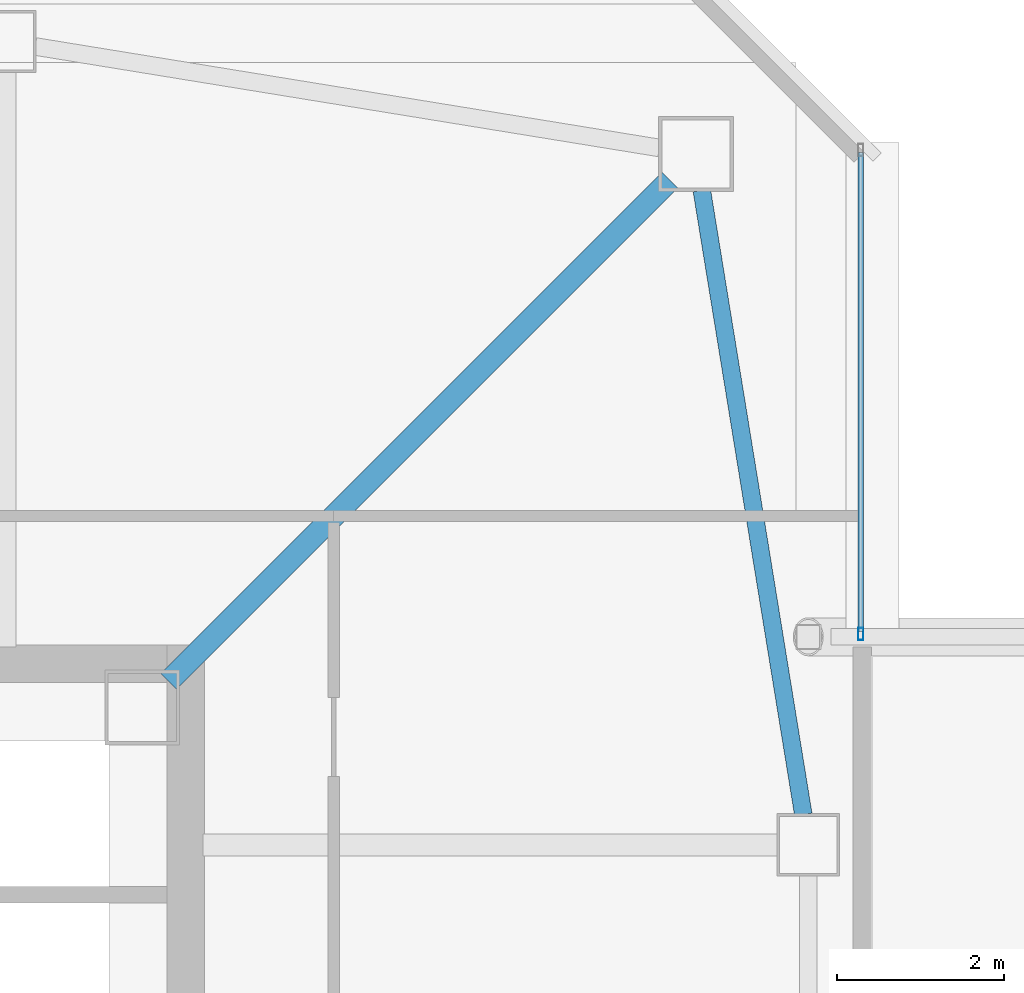
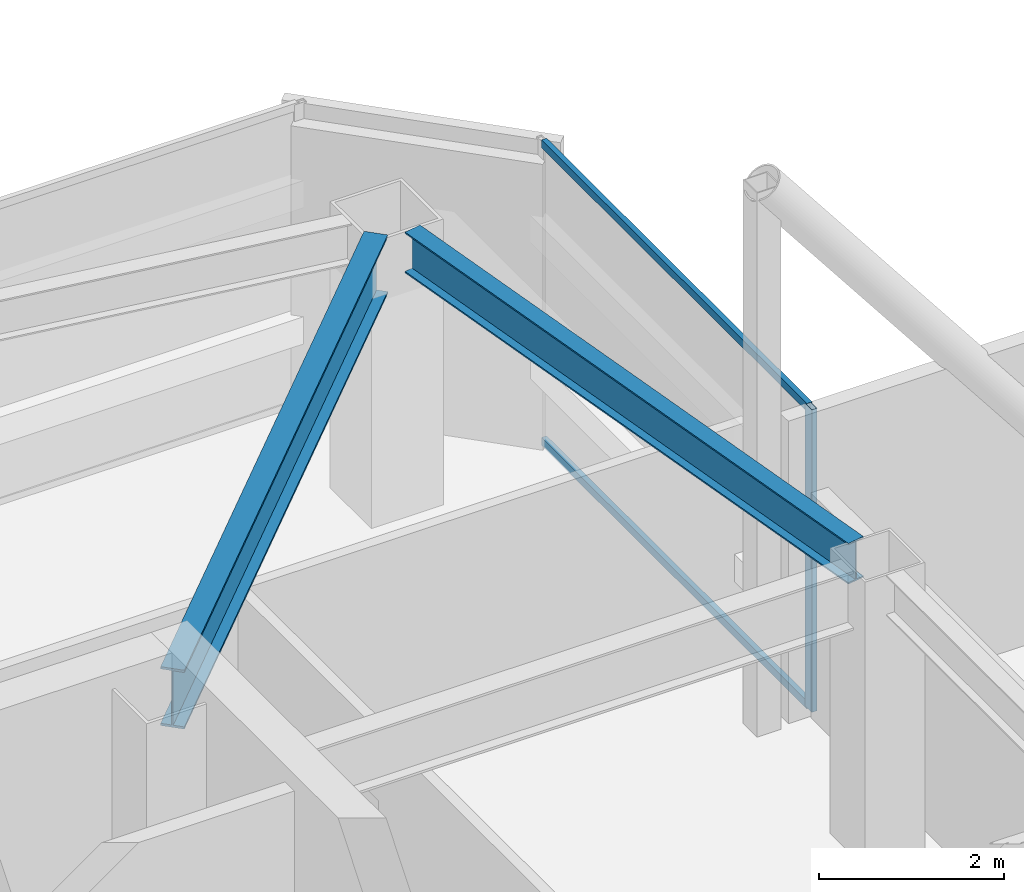
# One storey, part 16 of 53: 3 members, 2 beams, 1 element without a shape of its own.
"""IFC4 building model written with IfcOpenShell, lengths in metres."""

from ifc_helpers import new_model, si_unit, direction, frame, origin, origin_2d, place, context, subcontext, project, spatial, hollow_rectangle, i_section, extrude, material, material_profile, profile_set, type_object, element, aggregate, save


model = new_model("IFC4")

# Units and contexts
model_context = context("Model", 3, precision=1e-05, world=origin(), true_north=direction((0.0, 1.0)))
body_context = subcontext(model_context, "Body", "Model", "MODEL_VIEW")
ifc_project = project(units=[si_unit("LENGTHUNIT", "METRE"), si_unit("AREAUNIT", "SQUARE_METRE"), si_unit("VOLUMEUNIT", "CUBIC_METRE"), si_unit("PLANEANGLEUNIT", "RADIAN"), si_unit("MASSUNIT", "GRAM", prefix="KILO")], contexts=[model_context])

# Site, building, storey
site_placement = place(None, origin())
site = spatial("IfcSite", under=ifc_project, at=site_placement, CompositionType="ELEMENT")
building_placement = place(site_placement, origin())
building = spatial("IfcBuilding", under=site, at=building_placement, Name="Tashvorn Skyway Center", CompositionType="ELEMENT")
storey_placement = place(building_placement, frame((0.0, 0.0, 255.39990234375)))
storey = spatial("IfcBuildingStorey", under=building, at=storey_placement, Name="L69", CompositionType="ELEMENT", Elevation=255.39990234375)

# Beams
ifc_material_1 = material(Name="Steel ASTM A992 Grade 50", Category="steel")
ifc_material_profile_1 = material_profile(ifc_material_1, i_section(OverallWidth=0.26708984375, OverallDepth=0.779052734375, WebThickness=0.0166015625, FlangeThickness=0.030029296875, at=origin_2d()), Name="W30X148")
ifc_profile_set_1 = profile_set([ifc_material_profile_1], Name="Steel ASTM A992 Grade 50")
beam_type_1 = type_object("IfcBeamType", Name="BM-BEAM-W30X148", PredefinedType="BEAM", material=ifc_profile_set_1)
beam_1_placement = place(storey_placement, frame((55.38525390625, 45.38525390625, 3.390625), z_axis=(-0.707106781187, -0.707106781187, 0.0), x_axis=(0.707106781187, -0.707106781187, 0.0)))
element("IfcBeam", 1, at=beam_1_placement, inside=storey, type_object=beam_type_1, Name="Tower 1 L69 Primary Floor Girder MC-NE", PredefinedType="BEAM", context=body_context, shape_type="SweptSolid", body=[
    extrude(i_section(OverallWidth=0.26708984375, OverallDepth=0.779052734375, WebThickness=0.0166015625, FlangeThickness=0.030029296875, at=origin_2d()), origin(), (0.0, 0.0, 1.0), 8.514404296875),
])
ifc_material_profile_2 = material_profile(ifc_material_1, i_section(OverallWidth=0.2109375, OverallDepth=0.5390625, WebThickness=0.01171875, FlangeThickness=0.018798828125, at=origin_2d()), Name="W21X73")
ifc_profile_set_2 = profile_set([ifc_material_profile_2], Name="Steel ASTM A992 Grade 50")
beam_type_2 = type_object("IfcBeamType", Name="BM-SPANDREL-W21X73", PredefinedType="SPANDREL", material=ifc_profile_set_2)
beam_2_placement = place(storey_placement, frame((56.990478515625, 37.76513671875, 3.510498046875), z_axis=(-0.160519005885, 0.987032749583, 0.0), x_axis=(-0.987032749583, -0.160519005885, 0.0)))
element("IfcBeam", 2, at=beam_2_placement, inside=storey, type_object=beam_type_2, Name="Tower 1 L69 Spandrel Beam 06", PredefinedType="SPANDREL", context=body_context, shape_type="SweptSolid", body=[
    extrude(i_section(OverallWidth=0.2109375, OverallDepth=0.5390625, WebThickness=0.01171875, FlangeThickness=0.018798828125, at=origin_2d()), origin(), (0.0, 0.0, 1.0), 7.593994140625),
])

# Curtain wall, members
ifc_material_2 = material(Name="Thermally broken bronze-anodized aluminium 6063-T6", Category="aluminium")
curtain_wall_type = type_object("IfcCurtainWallType", Name="CW-CW-SKY", PredefinedType="NOTDEFINED", material=ifc_material_2)
curtain_wall_placement = place(storey_placement, origin())
curtain_wall = element("IfcCurtainWall", 3, at=curtain_wall_placement, inside=storey, type_object=curtain_wall_type, Name="Tower 1 L69 East Curtain Wall A", PredefinedType="NOTDEFINED")
ifc_material_profile_3 = material_profile(ifc_material_2, hollow_rectangle(XDim=0.06494140625, YDim=0.14990234375, WallThickness=0.00390625, at=origin_2d()), Name="ALU-MULL-65x150")
ifc_profile_set_3 = profile_set([ifc_material_profile_3], Name="Thermally broken bronze-anodized aluminium 6063-T6")
member_type_1 = type_object("IfcMemberType", Name="CWM-CW-SKY", PredefinedType="MULLION", material=ifc_profile_set_3)
member_1_placement = place(storey_placement, frame((57.679931640625, 39.9326171875, 0.0), z_axis=(0.0, 0.0, 1.0), x_axis=(1.0, 0.0, 0.0)))
member_1 = element("IfcMember", 4, at=member_1_placement, type_object=member_type_1, Name="CW-SKY mullion 2", PredefinedType="MULLION", context=body_context, shape_type="SweptSolid", body=[
    extrude(hollow_rectangle(XDim=0.06494140625, YDim=0.14990234375, WallThickness=0.00390625, at=origin_2d()), origin(), (0.0, 0.0, 1.0), 4.0),
])
ifc_material_profile_4 = material_profile(ifc_material_2, hollow_rectangle(XDim=0.06494140625, YDim=0.10498046875, WallThickness=0.00390625, at=origin_2d()), Name="ALU-TRAN-65x105")
ifc_profile_set_4 = profile_set([ifc_material_profile_4], Name="Thermally broken bronze-anodized aluminium 6063-T6")
member_type_2 = type_object("IfcMemberType", Name="CWT-CW-SKY", PredefinedType="USERDEFINED", material=ifc_profile_set_4)
member_2_placement = place(storey_placement, frame((57.679931640625, 45.715087890625, 0.03271484375), z_axis=(0.0, -1.0, 0.0), x_axis=(1.0, 0.0, 0.0)))
member_2 = element("IfcMember", 5, at=member_2_placement, type_object=member_type_2, Name="CW-SKY transom 1.1", ObjectType="TRANSOM", PredefinedType="USERDEFINED", context=body_context, shape_type="SweptSolid", body=[
    extrude(hollow_rectangle(XDim=0.06494140625, YDim=0.10498046875, WallThickness=0.00390625, at=origin_2d()), origin(), (0.0, 0.0, 1.0), 5.75),
])
member_3_placement = place(storey_placement, frame((57.679931640625, 45.715087890625, 3.967529296875), z_axis=(0.0, -1.0, 0.0), x_axis=(1.0, 0.0, 0.0)))
member_3 = element("IfcMember", 6, at=member_3_placement, type_object=member_type_2, Name="CW-SKY transom 1.2", ObjectType="TRANSOM", PredefinedType="USERDEFINED", context=body_context, shape_type="SweptSolid", body=[
    extrude(hollow_rectangle(XDim=0.06494140625, YDim=0.10498046875, WallThickness=0.00390625, at=origin_2d()), origin(), (0.0, 0.0, 1.0), 5.75),
])
aggregate(curtain_wall, [member_1, member_2, member_3])

save(model, "model.ifc")
